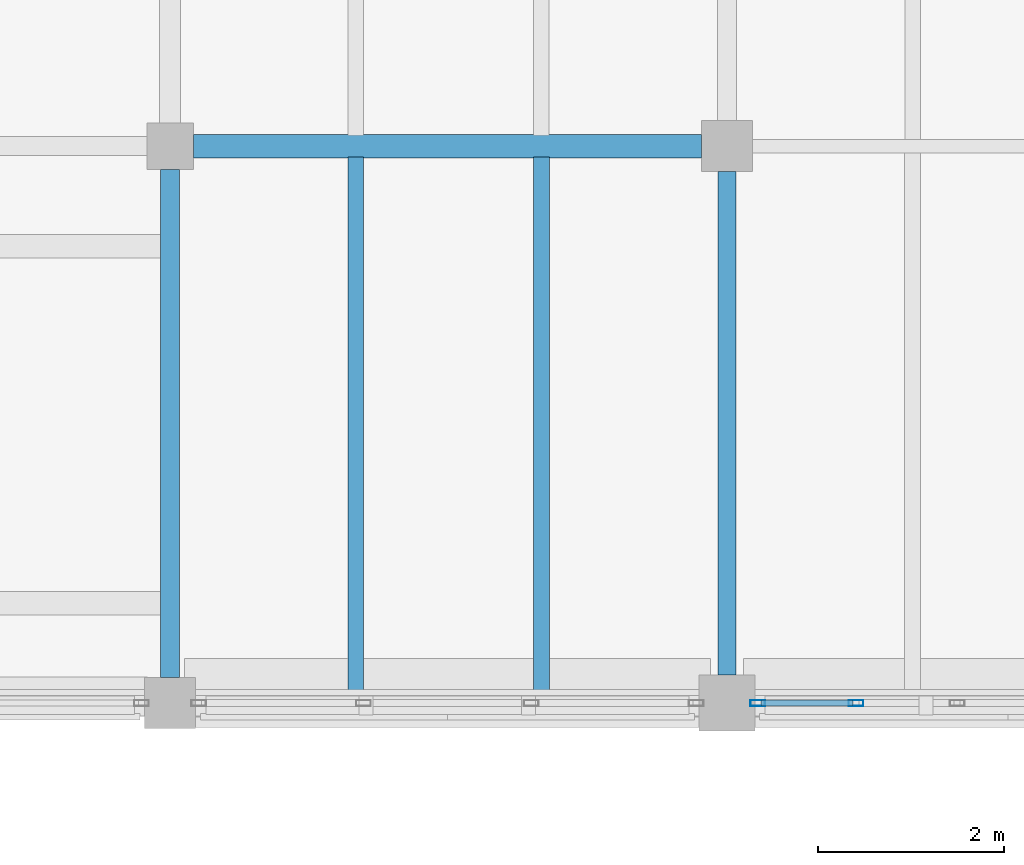
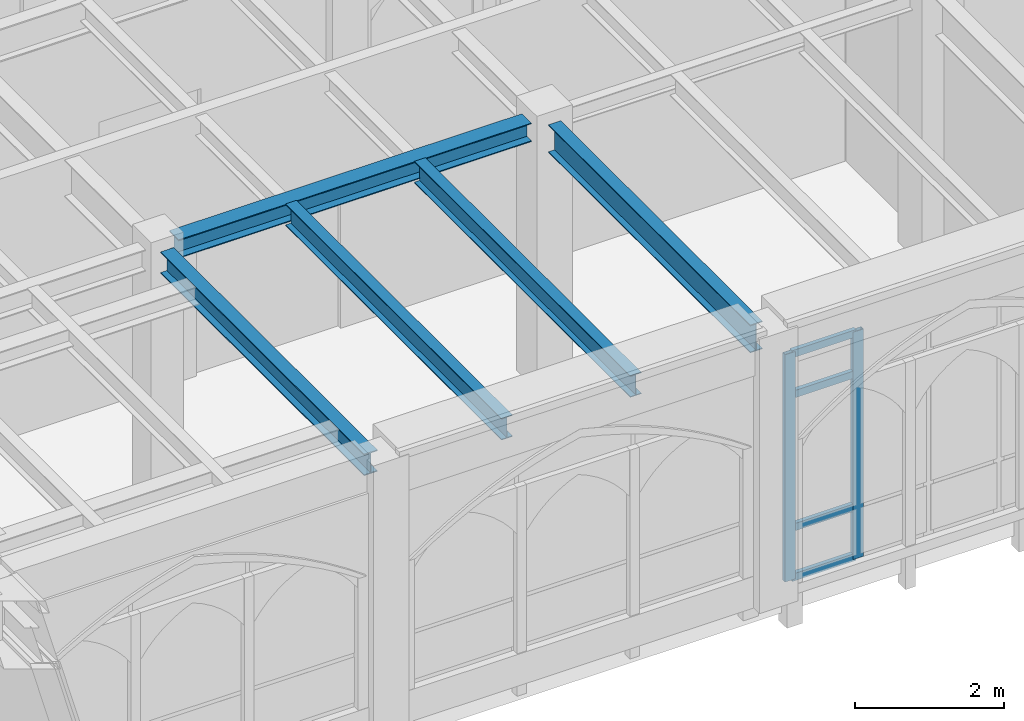
# One storey, part 22 of 143: 6 members, 5 beams, 1 element without a shape of its own.
"""IFC4 building model written with IfcOpenShell, lengths in metres."""

from ifc_helpers import new_model, si_unit, direction, frame, origin, origin_2d, place, context, subcontext, project, spatial, hollow_rectangle, i_section, extrude, material, layer, layer_set, material_profile, profile_set, type_object, element, aggregate, save


model = new_model("IFC4")

# Units and contexts
model_context = context("Model", 3, precision=1e-05, world=origin(), true_north=direction((0.0, 1.0)))
body_context = subcontext(model_context, "Body", "Model", "MODEL_VIEW")
ifc_project = project(units=[si_unit("LENGTHUNIT", "METRE"), si_unit("AREAUNIT", "SQUARE_METRE"), si_unit("VOLUMEUNIT", "CUBIC_METRE"), si_unit("PLANEANGLEUNIT", "RADIAN"), si_unit("MASSUNIT", "GRAM", prefix="KILO")], contexts=[model_context])

# Site, building, storey
site_placement = place(None, origin())
site = spatial("IfcSite", under=ifc_project, at=site_placement, CompositionType="ELEMENT")
building_placement = place(site_placement, origin())
building = spatial("IfcBuilding", under=site, at=building_placement, Name="Cumevento Cable Car Station", CompositionType="ELEMENT")
storey_placement = place(building_placement, frame((0.0, 0.0, 9.0)))
storey = spatial("IfcBuildingStorey", under=building, at=storey_placement, Name="L03", CompositionType="ELEMENT", Elevation=9.0)

# Curtain wall, members
ifc_material_1 = material(Name="Anodised Bronze Aluminium AW-6063-T6", Category="aluminium")
ifc_layer = layer(ifc_material_1, 0.159912109375)
ifc_layer_set = layer_set([ifc_layer], Name="Anodised Bronze Aluminium AW-6063-T6")
curtain_wall_type = type_object("IfcCurtainWallType", Name="Lancet Curtain Wall CW-01 1050", PredefinedType="NOTDEFINED", material=ifc_layer_set)
curtain_wall_placement = place(storey_placement, origin())
curtain_wall = element("IfcCurtainWall", 1, at=curtain_wall_placement, inside=storey, type_object=curtain_wall_type, Name="Lancet Curtain Wall CW-01 L03 #96", PredefinedType="NOTDEFINED")
ifc_material_2 = material(Name="Anodised Bronze Aluminium AW-6063-T6", Category="aluminium")
ifc_material_profile_1 = material_profile(ifc_material_2, hollow_rectangle(XDim=0.06494140625, YDim=0.159912109375, WallThickness=0.00390625, at=origin_2d()), Name="ALUM65x160x4")
ifc_profile_set_1 = profile_set([ifc_material_profile_1], Name="Anodised Bronze Aluminium AW-6063-T6")
member_type_1 = type_object("IfcMemberType", Name="Curtain Mullion CWM-01 ALUM65x160x4", PredefinedType="MULLION", material=ifc_profile_set_1)
member_1_placement = place(storey_placement, frame((35.389892578125, 45.0, 0.159912109375), z_axis=(0.0, 0.0, 1.0), x_axis=(0.0, -1.0, 0.0)))
member_1 = element("IfcMember", 2, at=member_1_placement, type_object=member_type_1, Name="CW-01 mullion 5", PredefinedType="MULLION", context=body_context, shape_type="SweptSolid", body=[
    extrude(hollow_rectangle(XDim=0.06494140625, YDim=0.159912109375, WallThickness=0.00390625, at=origin_2d()), origin(), (0.0, 0.0, 1.0), 3.733154296875),
])
member_2_placement = place(storey_placement, frame((34.33251953125, 45.0, 0.159912109375), z_axis=(0.0, 0.0, 1.0), x_axis=(0.0, -1.0, 0.0)))
member_2 = element("IfcMember", 3, at=member_2_placement, type_object=member_type_1, Name="CW-01 mullion 6", PredefinedType="MULLION", context=body_context, shape_type="SweptSolid", body=[
    extrude(hollow_rectangle(XDim=0.06494140625, YDim=0.159912109375, WallThickness=0.00390625, at=origin_2d()), origin(), (0.0, 0.0, 1.0), 3.733154296875),
])
ifc_material_3 = material(Name="Anodised Bronze Aluminium AW-6063-T6", Category="aluminium")
ifc_material_profile_2 = material_profile(ifc_material_3, hollow_rectangle(XDim=0.06494140625, YDim=0.1201171875, WallThickness=0.00390625, at=origin_2d()), Name="ALUT65x120x4")
ifc_profile_set_2 = profile_set([ifc_material_profile_2], Name="Anodised Bronze Aluminium AW-6063-T6")
member_type_2 = type_object("IfcMemberType", Name="Curtain Transom CWT-01 ALUT65x120x4", PredefinedType="USERDEFINED", material=ifc_profile_set_2)
member_3_placement = place(storey_placement, frame((35.357421875, 45.0, 0.1923828125), z_axis=(-1.0, 0.0, 0.0), x_axis=(0.0, -1.0, 0.0)))
member_3 = element("IfcMember", 4, at=member_3_placement, type_object=member_type_2, Name="CW-01 transom 5.1", ObjectType="TRANSOM", PredefinedType="USERDEFINED", context=body_context, shape_type="SweptSolid", body=[
    extrude(hollow_rectangle(XDim=0.06494140625, YDim=0.1201171875, WallThickness=0.00390625, at=origin_2d()), origin(), (0.0, 0.0, 1.0), 0.992431640625),
])
member_4_placement = place(storey_placement, frame((35.357421875, 45.0, 1.010009765625), z_axis=(-1.0, 0.0, 0.0), x_axis=(0.0, -1.0, 0.0)))
member_4 = element("IfcMember", 5, at=member_4_placement, type_object=member_type_2, Name="CW-01 transom 5.2", ObjectType="TRANSOM", PredefinedType="USERDEFINED", context=body_context, shape_type="SweptSolid", body=[
    extrude(hollow_rectangle(XDim=0.06494140625, YDim=0.1201171875, WallThickness=0.00390625, at=origin_2d()), origin(), (0.0, 0.0, 1.0), 0.992431640625),
])
member_5_placement = place(storey_placement, frame((35.357421875, 45.0, 3.193115234375), z_axis=(-1.0, 0.0, 0.0), x_axis=(0.0, -1.0, 0.0)))
member_5 = element("IfcMember", 6, at=member_5_placement, type_object=member_type_2, Name="CW-01 transom 5.3", ObjectType="TRANSOM", PredefinedType="USERDEFINED", context=body_context, shape_type="SweptSolid", body=[
    extrude(hollow_rectangle(XDim=0.06494140625, YDim=0.1201171875, WallThickness=0.00390625, at=origin_2d()), origin(), (0.0, 0.0, 1.0), 0.992431640625),
])
member_6_placement = place(storey_placement, frame((35.357421875, 45.0, 3.860595703125), z_axis=(-1.0, 0.0, 0.0), x_axis=(0.0, -1.0, 0.0)))
member_6 = element("IfcMember", 7, at=member_6_placement, type_object=member_type_2, Name="CW-01 transom 5.4", ObjectType="TRANSOM", PredefinedType="USERDEFINED", context=body_context, shape_type="SweptSolid", body=[
    extrude(hollow_rectangle(XDim=0.06494140625, YDim=0.1201171875, WallThickness=0.00390625, at=origin_2d()), origin(), (0.0, 0.0, 1.0), 0.992431640625),
])
aggregate(curtain_wall, [member_1, member_2, member_3, member_4, member_5, member_6])

# Beams
ifc_material_4 = material(Name="Steel ASTM A572 Grade 50", Category="steel")
ifc_material_profile_3 = material_profile(ifc_material_4, i_section(OverallWidth=0.18994140625, OverallDepth=0.45703125, WebThickness=0.009033203125, FlangeThickness=0.014404296875, at=origin_2d()), Name="W460x74.0")
ifc_profile_set_3 = profile_set([ifc_material_profile_3], Name="Steel ASTM A572 Grade 50")
beam_type_1 = type_object("IfcBeamType", Name="Structural Beam BM-04 W460x74.0", PredefinedType="BEAM", material=ifc_profile_set_3)
beam_1_placement = place(storey_placement, frame((34.0, 45.300048828125, 4.071533203125), z_axis=(0.0, 1.0, 0.0), x_axis=(-1.0, 0.0, 0.0)))
element("IfcBeam", 8, at=beam_1_placement, inside=storey, type_object=beam_type_1, Name="Beam BM-04 L03 #1040", PredefinedType="BEAM", context=body_context, shape_type="SweptSolid", body=[
    extrude(i_section(OverallWidth=0.18994140625, OverallDepth=0.45703125, WebThickness=0.009033203125, FlangeThickness=0.014404296875, at=origin_2d()), origin(), (0.0, 0.0, 1.0), 5.425048828125),
])
ifc_material_5 = material(Name="Steel ASTM A572 Grade 50", Category="steel")
ifc_material_profile_4 = material_profile(ifc_material_5, i_section(OverallWidth=0.205078125, OverallDepth=0.35400390625, WebThickness=0.009521484375, FlangeThickness=0.016845703125, at=origin_2d()), Name="W360x79.0")
ifc_profile_set_4 = profile_set([ifc_material_profile_4], Name="Steel ASTM A572 Grade 50")
beam_type_2 = type_object("IfcBeamType", Name="Structural Beam BM-05 W360x79.0", PredefinedType="BEAM", material=ifc_profile_set_4)
beam_2_placement = place(storey_placement, frame((28.0, 45.27490234375, 4.123046875), z_axis=(0.0, 1.0, 0.0), x_axis=(-1.0, 0.0, 0.0)))
element("IfcBeam", 9, at=beam_2_placement, inside=storey, type_object=beam_type_2, Name="Beam BM-05 L03 #1038", PredefinedType="BEAM", context=body_context, shape_type="SweptSolid", body=[
    extrude(i_section(OverallWidth=0.205078125, OverallDepth=0.35400390625, WebThickness=0.009521484375, FlangeThickness=0.016845703125, at=origin_2d()), origin(), (0.0, 0.0, 1.0), 5.47509765625),
])
ifc_material_6 = material(Name="Steel ASTM A572 Grade 50", Category="steel")
ifc_material_profile_5 = material_profile(ifc_material_6, i_section(OverallWidth=0.25390625, OverallDepth=0.305908203125, WebThickness=0.0087890625, FlangeThickness=0.0146484375, at=origin_2d()), Name="W310x79.0")
ifc_profile_set_5 = profile_set([ifc_material_profile_5], Name="Steel ASTM A572 Grade 50")
beam_type_3 = type_object("IfcBeamType", Name="Structural Beam BM-06 W310x79.0", PredefinedType="BEAM", material=ifc_profile_set_5)
beam_3_placement = place(storey_placement, frame((28.25, 51.0, 4.14697265625), z_axis=(1.0, 0.0, 0.0), x_axis=(0.0, 1.0, 0.0)))
element("IfcBeam", 10, at=beam_3_placement, inside=storey, type_object=beam_type_3, Name="Beam BM-06 L03 #1027", PredefinedType="BEAM", context=body_context, shape_type="SweptSolid", body=[
    extrude(i_section(OverallWidth=0.25390625, OverallDepth=0.305908203125, WebThickness=0.0087890625, FlangeThickness=0.0146484375, at=origin_2d()), origin(), (0.0, 0.0, 1.0), 5.47509765625),
])
ifc_material_7 = material(Name="Steel ASTM A572 Grade 50", Category="steel")
ifc_material_profile_6 = material_profile(ifc_material_7, i_section(OverallWidth=0.1708984375, OverallDepth=0.35498046875, WebThickness=0.007080078125, FlangeThickness=0.01171875, at=origin_2d()), Name="W360x51.0")
ifc_profile_set_6 = profile_set([ifc_material_profile_6], Name="Steel ASTM A572 Grade 50")
beam_type_4 = type_object("IfcBeamType", Name="Structural Joist JS-01 W360x51.0", PredefinedType="JOIST", material=ifc_profile_set_6)
for number, where, z_axis, x_axis, name in (
    (11, (30.0, 45.076904296875, 4.12255859375), (0.0, 1.0, 0.0), (-1.0, 0.0, 0.0), "Composite Floor Joist JS-01 L03 #1222"),
    (12, (32.0, 45.076904296875, 4.12255859375), (0.0, 1.0, 0.0), (-1.0, 0.0, 0.0), "Composite Floor Joist JS-01 L03 #1224"),
):
    element("IfcBeam", number, at=place(storey_placement, frame(where, z_axis=z_axis, x_axis=x_axis)), inside=storey, type_object=beam_type_4, Name=name, PredefinedType="JOIST", context=body_context, shape_type="SweptSolid", body=[
        extrude(i_section(OverallWidth=0.1708984375, OverallDepth=0.35498046875, WebThickness=0.007080078125, FlangeThickness=0.01171875, at=origin_2d()), origin(), (0.0, 0.0, 1.0), 5.80810546875),
    ])

save(model, "model.ifc")
